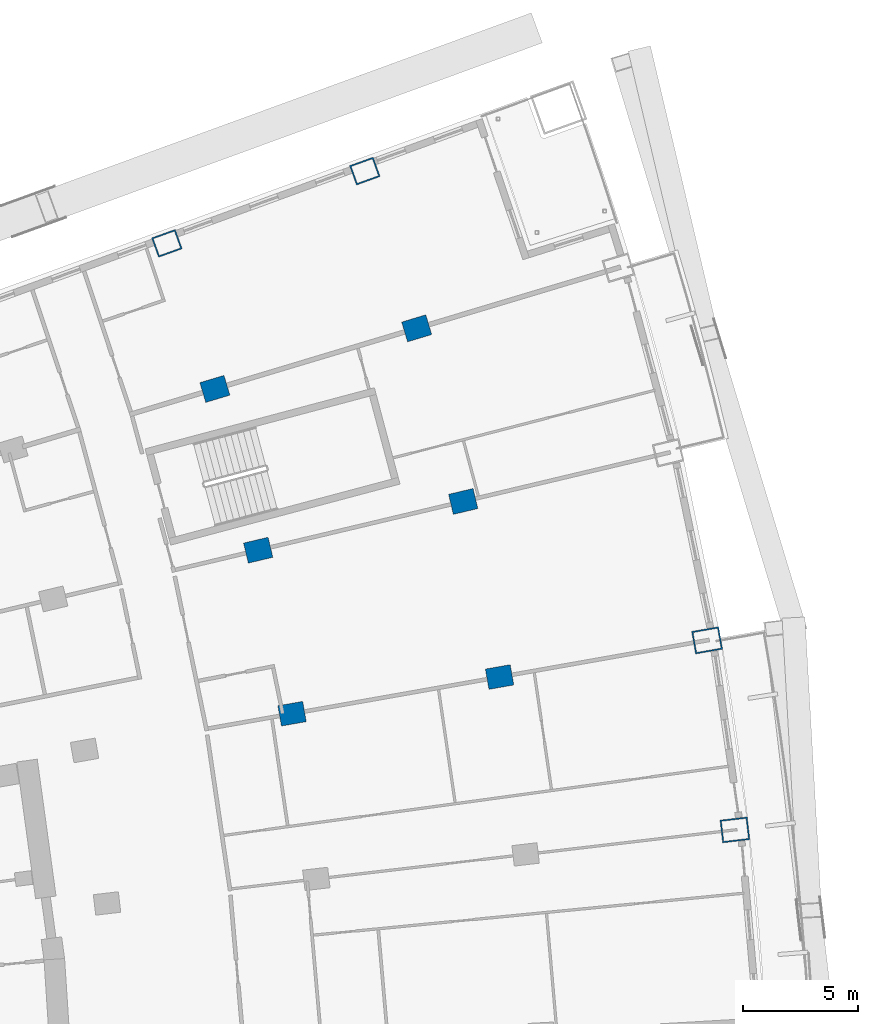
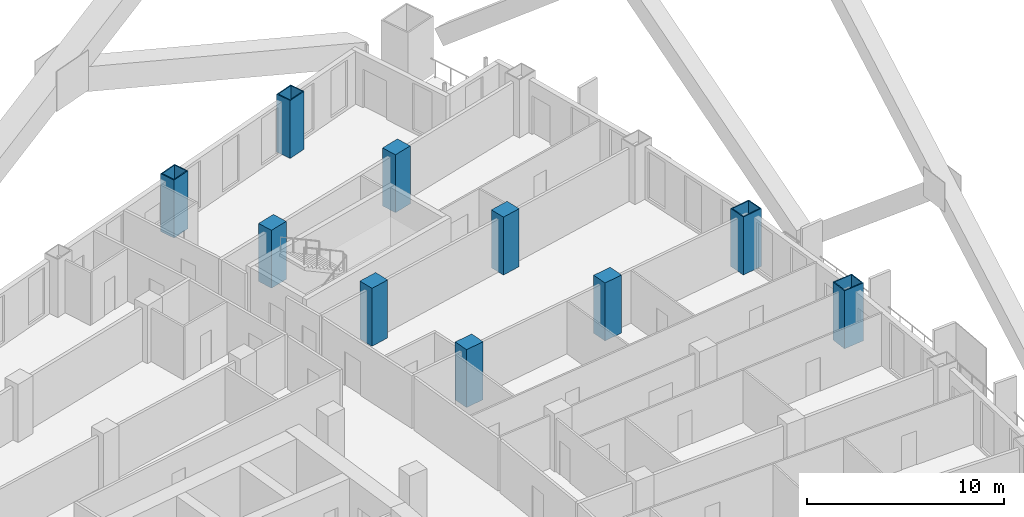
# One storey, part 10 of 25: 10 columns.
"""IFC4 building model written with IfcOpenShell, lengths in metres."""

from ifc_helpers import new_model, si_unit, direction, frame, origin, origin_2d, place, context, subcontext, project, spatial, rectangle, hollow_rectangle, extrude, material, material_profile, profile_set, type_object, element, save


model = new_model("IFC4")

# Units and contexts
model_context = context("Model", 3, precision=1e-05, world=origin(), true_north=direction((0.0, 1.0)))
body_context = subcontext(model_context, "Body", "Model", "MODEL_VIEW")
ifc_project = project(units=[si_unit("LENGTHUNIT", "METRE"), si_unit("AREAUNIT", "SQUARE_METRE"), si_unit("VOLUMEUNIT", "CUBIC_METRE"), si_unit("PLANEANGLEUNIT", "RADIAN"), si_unit("MASSUNIT", "GRAM", prefix="KILO")], contexts=[model_context])

# Site, building, storey
site_placement = place(None, origin())
site = spatial("IfcSite", under=ifc_project, at=site_placement, CompositionType="ELEMENT")
building_placement = place(site_placement, origin())
building = spatial("IfcBuilding", under=site, at=building_placement, Name="Alderwake Tower", CompositionType="ELEMENT")
storey_placement = place(building_placement, frame((0.0, 0.0, 32.0)))
storey = spatial("IfcBuildingStorey", under=building, at=storey_placement, Name="L06", CompositionType="ELEMENT", Elevation=32.0)

# Columns
ifc_material_1 = material(Name="Steel ASTM A572 Grade 50 concrete filled C70/85", Category="concrete")
ifc_material_profile_1 = material_profile(ifc_material_1, hollow_rectangle(XDim=0.89990234375, YDim=1.10009765625, WallThickness=0.06005859375, at=origin_2d()), Name="BOX 1100X900X60")
ifc_profile_set_1 = profile_set([ifc_material_profile_1], Name="Steel ASTM A572 Grade 50 concrete filled C70/85")
column_type_1 = type_object("IfcColumnType", Name="End column Z1", PredefinedType="COLUMN", material=ifc_profile_set_1)
for number, where, z_axis, x_axis, name in (
    (1, (37.6259765625, 103.298095703125, 0.0), (0.0, 0.0, 1.0), (-0.338384834858, 0.941007812687, 0.0), "Column R13-C3"),
    (2, (46.268310546875, 106.452880859375, 0.0), (0.0, 0.0, 1.0), (-0.338695224082, 0.940896139425, 0.0), "Column R13-C4"),
):
    element("IfcColumn", number, at=place(storey_placement, frame(where, z_axis=z_axis, x_axis=x_axis)), inside=storey, type_object=column_type_1, Name=name, PredefinedType="COLUMN", context=body_context, shape_type="SweptSolid", body=[
        extrude(hollow_rectangle(XDim=0.89990234375, YDim=1.10009765625, WallThickness=0.06005859375, at=origin_2d()), origin(), (0.0, 0.0, 1.0), 3.60009765625),
    ])
ifc_material_2 = material(Name="Concrete C70/85", Category="concrete")
ifc_material_profile_2 = material_profile(ifc_material_2, rectangle(XDim=0.89990234375, YDim=1.10009765625, at=origin_2d()), Name="RC 1100X900")
ifc_profile_set_2 = profile_set([ifc_material_profile_2], Name="Concrete C70/85")
column_type_2 = type_object("IfcColumnType", Name="Interior column Z1", PredefinedType="COLUMN", material=ifc_profile_set_2)
for number, where, z_axis, x_axis, name in (
    (3, (43.0908203125, 82.763427734375, 0.0), (0.0, 0.0, 1.0), (-0.174108800747, 0.984726421654, 0.0), "Column R10-C3"),
    (4, (52.150390625, 84.365234375, 0.0), (0.0, 0.0, 1.0), (-0.174108800747, 0.984726421654, 0.0), "Column R10-C4"),
    (5, (41.612548828125, 89.902587890625, 0.0), (0.0, 0.0, 1.0), (-0.231221547198, 0.972901123502, 0.0), "Column R11-C3"),
    (6, (50.563232421875, 92.030029296875, 0.0), (0.0, 0.0, 1.0), (-0.231221547198, 0.972901123502, 0.0), "Column R11-C4"),
    (7, (39.720703125, 96.943603515625, 0.0), (0.0, 0.0, 1.0), (-0.287549418125, 0.957765802342, 0.0), "Column R12-C3"),
    (8, (48.5322265625, 99.589111328125, 0.0), (0.0, 0.0, 1.0), (-0.287549418125, 0.957765802342, 0.0), "Column R12-C4"),
):
    element("IfcColumn", number, at=place(storey_placement, frame(where, z_axis=z_axis, x_axis=x_axis)), inside=storey, type_object=column_type_2, Name=name, PredefinedType="COLUMN", context=body_context, shape_type="SweptSolid", body=[
        extrude(rectangle(XDim=0.89990234375, YDim=1.10009765625, at=origin_2d()), origin(), (0.0, 0.0, 1.0), 3.60009765625),
    ])
ifc_material_3 = material(Name="Steel ASTM A572 Grade 50 concrete filled C70/85", Category="concrete")
ifc_material_profile_3 = material_profile(ifc_material_3, hollow_rectangle(XDim=1.0, YDim=1.199951171875, WallThickness=0.06005859375, at=origin_2d()), Name="BOX 1200X1000X60")
ifc_profile_set_3 = profile_set([ifc_material_profile_3], Name="Steel ASTM A572 Grade 50 concrete filled C70/85")
column_type_3 = type_object("IfcColumnType", Name="Perimeter column Z1", PredefinedType="COLUMN", material=ifc_profile_set_3)
for number, where, z_axis, x_axis, name in (
    (9, (62.42529296875, 77.692138671875, 0.0), (0.0, 0.0, 1.0), (-0.116402054316, 0.993202175668, 0.0), "Column R09-C5"),
    (10, (61.209716796875, 85.967041015625, 0.0), (0.0, 0.0, 1.0), (-0.174108800747, 0.984726421654, 0.0), "Column R10-C5"),
):
    element("IfcColumn", number, at=place(storey_placement, frame(where, z_axis=z_axis, x_axis=x_axis)), inside=storey, type_object=column_type_3, Name=name, PredefinedType="COLUMN", context=body_context, shape_type="SweptSolid", body=[
        extrude(hollow_rectangle(XDim=1.0, YDim=1.199951171875, WallThickness=0.06005859375, at=origin_2d()), origin(), (0.0, 0.0, 1.0), 3.60009765625),
    ])

save(model, "model.ifc")
